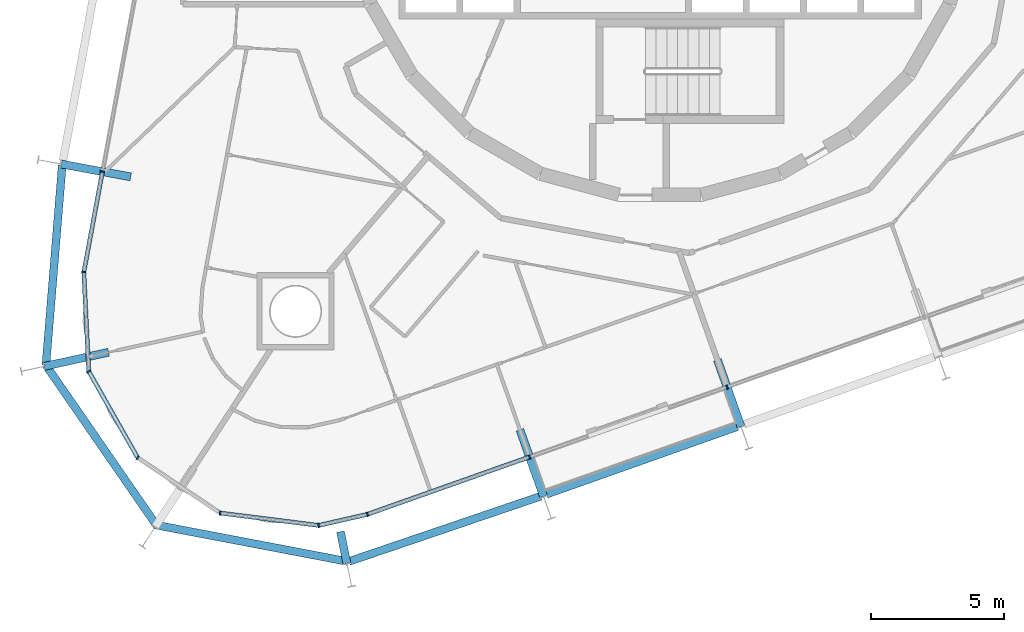
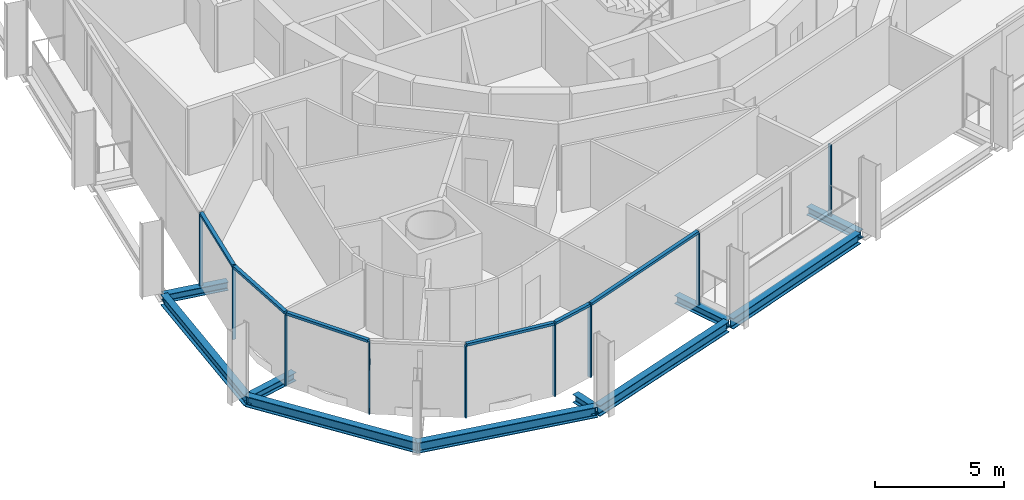
# One storey, part 2 of 17: 15 members, 10 beams, 2 elements without a shape of their own.
"""IFC4 building model written with IfcOpenShell, lengths in metres."""

from ifc_helpers import new_model, si_unit, direction, frame, origin, origin_2d, place, context, subcontext, project, spatial, rectangle, i_section, extrude, material, layer, layer_set, material_profile, profile_set, type_object, element, aggregate, save


model = new_model("IFC4")

# Units and contexts
model_context = context("Model", 3, precision=1e-05, world=origin(), true_north=direction((0.0, 1.0)))
body_context = subcontext(model_context, "Body", "Model", "MODEL_VIEW")
ifc_project = project(units=[si_unit("LENGTHUNIT", "METRE"), si_unit("AREAUNIT", "SQUARE_METRE"), si_unit("VOLUMEUNIT", "CUBIC_METRE"), si_unit("PLANEANGLEUNIT", "RADIAN"), si_unit("MASSUNIT", "GRAM", prefix="KILO")], contexts=[model_context])

# Site, building, storey
site_placement = place(None, origin())
site = spatial("IfcSite", under=ifc_project, at=site_placement, CompositionType="ELEMENT")
building_placement = place(site_placement, origin())
building = spatial("IfcBuilding", under=site, at=building_placement, Name="Spindle Arch Residences", CompositionType="ELEMENT")
storey_placement = place(building_placement, frame((0.0, 0.0, 172.699951171875)))
storey = spatial("IfcBuildingStorey", under=building, at=storey_placement, Name="L43", CompositionType="ELEMENT", Elevation=172.699951171875)

# Curtain wall, members
ifc_material_1 = material(Name="Aluminium bronze unitised frame with tinted glass", Category="aluminium")
ifc_layer_1 = layer(ifc_material_1, 0.159912109375)
ifc_layer_set_1 = layer_set([ifc_layer_1], Name="CW-D corner wall on the fillet arcs")
curtain_wall_type_1 = type_object("IfcCurtainWallType", Name="CW-D corner wall on the fillet arcs", PredefinedType="NOTDEFINED", material=ifc_layer_set_1)
curtain_wall_1_placement = place(storey_placement, origin())
curtain_wall_1 = element("IfcCurtainWall", 1, at=curtain_wall_1_placement, inside=storey, type_object=curtain_wall_type_1, Name="CW-D L43 run 5", PredefinedType="NOTDEFINED")
ifc_material_2 = material(Name="Aluminium bronze anodised mullion", Category="aluminium")
ifc_material_profile_1 = material_profile(ifc_material_2, rectangle(XDim=0.159912109375, YDim=0.06005859375, at=origin_2d()), Name="MU 60x160")
ifc_profile_set_1 = profile_set([ifc_material_profile_1], Name="Aluminium bronze anodised mullion")
member_type_1 = type_object("IfcMemberType", Name="Bronze mullion 60x160", PredefinedType="MULLION", material=ifc_profile_set_1)
member_1_placement = place(storey_placement, frame((-20.92724609375, -10.77685546875, -0.3798828125), z_axis=(0.0, 0.0, 1.0), x_axis=(0.983254907564, -0.182235525492, 0.0)))
member_1 = element("IfcMember", 2, at=member_1_placement, type_object=member_type_1, Name="CW-D mullion 00", PredefinedType="MULLION", context=body_context, shape_type="SweptSolid", body=[
    extrude(rectangle(XDim=0.159912109375, YDim=0.06005859375, at=origin_2d()), origin(), (0.0, 0.0, 1.0), 3.3798828125),
])
member_2_placement = place(storey_placement, frame((-21.6259765625, -14.546142578125, -0.3798828125), z_axis=(0.0, 0.0, 1.0), x_axis=(0.99877754864, 0.049430843939, 0.0)))
member_2 = element("IfcMember", 3, at=member_2_placement, type_object=member_type_1, Name="CW-D mullion 01", PredefinedType="MULLION", context=body_context, shape_type="SweptSolid", body=[
    extrude(rectangle(XDim=0.159912109375, YDim=0.06005859375, at=origin_2d()), origin(), (0.0, 0.0, 1.0), 3.3798828125),
])
member_3_placement = place(storey_placement, frame((-21.441650390625, -18.268310546875, -0.3798828125), z_axis=(0.0, 0.0, 1.0), x_axis=(0.870355694762, 0.492423562185, 0.0)))
member_3 = element("IfcMember", 4, at=member_3_placement, type_object=member_type_1, Name="CW-D mullion 02", PredefinedType="MULLION", context=body_context, shape_type="SweptSolid", body=[
    extrude(rectangle(XDim=0.159912109375, YDim=0.06005859375, at=origin_2d()), origin(), (0.0, 0.0, 1.0), 3.3798828125),
])
member_4_placement = place(storey_placement, frame((-19.6064453125, -21.511962890625, -0.3798828125), z_axis=(0.0, 0.0, 1.0), x_axis=(0.556778968928, 0.830660688705, 0.0)))
member_4 = element("IfcMember", 5, at=member_4_placement, type_object=member_type_1, Name="CW-D mullion 03", PredefinedType="MULLION", context=body_context, shape_type="SweptSolid", body=[
    extrude(rectangle(XDim=0.159912109375, YDim=0.06005859375, at=origin_2d()), origin(), (0.0, 0.0, 1.0), 3.3798828125),
])
member_5_placement = place(storey_placement, frame((-16.510986328125, -23.5869140625, -0.3798828125), z_axis=(0.0, 0.0, 1.0), x_axis=(0.12475602349, 0.992187449327, 0.0)))
member_5 = element("IfcMember", 6, at=member_5_placement, type_object=member_type_1, Name="CW-D mullion 04", PredefinedType="MULLION", context=body_context, shape_type="SweptSolid", body=[
    extrude(rectangle(XDim=0.159912109375, YDim=0.06005859375, at=origin_2d()), origin(), (0.0, 0.0, 1.0), 3.3798828125),
])
member_6_placement = place(storey_placement, frame((-12.813232421875, -24.0517578125, -0.3798828125), z_axis=(0.0, 0.0, 1.0), x_axis=(-0.222115779565, 0.975020297465, 0.0)))
member_6 = element("IfcMember", 7, at=member_6_placement, type_object=member_type_1, Name="CW-D mullion 05", PredefinedType="MULLION", context=body_context, shape_type="SweptSolid", body=[
    extrude(rectangle(XDim=0.159912109375, YDim=0.06005859375, at=origin_2d()), origin(), (0.0, 0.0, 1.0), 3.3798828125),
])
member_7_placement = place(storey_placement, frame((-10.984130859375, -23.63525390625, -0.3798828125), z_axis=(0.0, 0.0, 1.0), x_axis=(-0.333806859234, 0.942641491092, 0.0)))
member_7 = element("IfcMember", 8, at=member_7_placement, type_object=member_type_1, Name="CW-D mullion 06", PredefinedType="MULLION", context=body_context, shape_type="SweptSolid", body=[
    extrude(rectangle(XDim=0.159912109375, YDim=0.06005859375, at=origin_2d()), origin(), (0.0, 0.0, 1.0), 3.3798828125),
])

ifc_material_3 = material(Name="Aluminium bronze unitised frame with tinted glass", Category="aluminium")
ifc_layer_2 = layer(ifc_material_3, 0.159912109375)
ifc_layer_set_2 = layer_set([ifc_layer_2], Name="CW-C typical residential unitised wall")
curtain_wall_type_2 = type_object("IfcCurtainWallType", Name="CW-C typical residential unitised wall", PredefinedType="NOTDEFINED", material=ifc_layer_set_2)
curtain_wall_2_placement = place(storey_placement, origin())
curtain_wall_2 = element("IfcCurtainWall", 9, at=curtain_wall_2_placement, inside=storey, type_object=curtain_wall_type_2, Name="CW-C L43 run 6", PredefinedType="NOTDEFINED")
member_8_placement = place(storey_placement, frame((-4.900634765625, -21.48095703125, -0.3798828125), z_axis=(0.0, 0.0, 1.0), x_axis=(-0.333806859234, 0.942641491092, 0.0)))
member_8 = element("IfcMember", 10, at=member_8_placement, type_object=member_type_1, Name="CW-C mullion 20", PredefinedType="MULLION", context=body_context, shape_type="SweptSolid", body=[
    extrude(rectangle(XDim=0.159912109375, YDim=0.06005859375, at=origin_2d()), origin(), (0.0, 0.0, 1.0), 3.3798828125),
])
member_9_placement = place(storey_placement, frame((2.508544921875, -18.857177734375, -0.3798828125), z_axis=(0.0, 0.0, 1.0), x_axis=(-0.333806859234, 0.942641491092, 0.0)))
member_9 = element("IfcMember", 11, at=member_9_placement, type_object=member_type_1, Name="CW-C mullion 21", PredefinedType="MULLION", context=body_context, shape_type="SweptSolid", body=[
    extrude(rectangle(XDim=0.159912109375, YDim=0.06005859375, at=origin_2d()), origin(), (0.0, 0.0, 1.0), 3.3798828125),
])
aggregate(curtain_wall_2, [member_8, member_9])

# Member
ifc_material_4 = material(Name="Aluminium bronze anodised transom", Category="aluminium")
ifc_material_profile_2 = material_profile(ifc_material_4, rectangle(XDim=0.159912109375, YDim=0.1201171875, at=origin_2d()), Name="TR 120x160")
ifc_profile_set_2 = profile_set([ifc_material_profile_2], Name="Aluminium bronze anodised transom")
member_type_2 = type_object("IfcMemberType", Name="Bronze transom 120x160", PredefinedType="USERDEFINED", material=ifc_profile_set_2)
member_10_placement = place(storey_placement, frame((-20.932861328125, -10.806396484375, 3.06005859375), z_axis=(-0.182198152475, -0.983261833509, 0.0), x_axis=(0.983261833509, -0.182198152475, 0.0)))
member_10 = element("IfcMember", 12, at=member_10_placement, type_object=member_type_2, Name="CW-D transom 00", ObjectType="TRANSOM", PredefinedType="USERDEFINED", context=body_context, shape_type="SweptSolid", body=[
    extrude(rectangle(XDim=0.159912109375, YDim=0.1201171875, at=origin_2d()), origin(), (0.0, 0.0, 1.0), 3.7734375),
])

member_11_placement = place(storey_placement, frame((-21.62451171875, -14.576171875, 3.06005859375), z_axis=(0.049472678643, -0.998775477306, 0.0), x_axis=(0.998775477306, 0.049472678643, 0.0)))
member_11 = element("IfcMember", 13, at=member_11_placement, type_object=member_type_2, Name="CW-D transom 01", ObjectType="TRANSOM", PredefinedType="USERDEFINED", context=body_context, shape_type="SweptSolid", body=[
    extrude(rectangle(XDim=0.159912109375, YDim=0.1201171875, at=origin_2d()), origin(), (0.0, 0.0, 1.0), 3.66650390625),
])

member_12_placement = place(storey_placement, frame((-21.427001953125, -18.29443359375, 3.06005859375), z_axis=(0.49243456751, -0.870349468157, 0.0), x_axis=(0.870349468157, 0.49243456751, 0.0)))
member_12 = element("IfcMember", 14, at=member_12_placement, type_object=member_type_2, Name="CW-D transom 02", ObjectType="TRANSOM", PredefinedType="USERDEFINED", context=body_context, shape_type="SweptSolid", body=[
    extrude(rectangle(XDim=0.159912109375, YDim=0.1201171875, at=origin_2d()), origin(), (0.0, 0.0, 1.0), 3.666748046875),
])

member_13_placement = place(storey_placement, frame((-16.481201171875, -23.590576171875, 3.06005859375), z_axis=(0.992185413992, -0.12477220949, 0.0), x_axis=(0.12477220949, 0.992185413992, 0.0)))
member_13 = element("IfcMember", 15, at=member_13_placement, type_object=member_type_2, Name="CW-D transom 04", ObjectType="TRANSOM", PredefinedType="USERDEFINED", context=body_context, shape_type="SweptSolid", body=[
    extrude(rectangle(XDim=0.159912109375, YDim=0.1201171875, at=origin_2d()), origin(), (0.0, 0.0, 1.0), 3.666748046875),
])

member_14_placement = place(storey_placement, frame((-12.783935546875, -24.045166015625, 3.06005859375), z_axis=(0.975028425033, 0.222080099015, 0.0), x_axis=(-0.222080099015, 0.975028425033, 0.0)))
member_14 = element("IfcMember", 16, at=member_14_placement, type_object=member_type_2, Name="CW-D transom 05", ObjectType="TRANSOM", PredefinedType="USERDEFINED", context=body_context, shape_type="SweptSolid", body=[
    extrude(rectangle(XDim=0.159912109375, YDim=0.1201171875, at=origin_2d()), origin(), (0.0, 0.0, 1.0), 1.816162109375),
])

member_15_placement = place(storey_placement, frame((-10.955810546875, -23.625244140625, 3.06005859375), z_axis=(0.942638740525, 0.333814626495, 0.0), x_axis=(-0.333814626495, 0.942638740525, 0.0)))
member_15 = element("IfcMember", 17, at=member_15_placement, type_object=member_type_2, Name="CW-D transom 06", ObjectType="TRANSOM", PredefinedType="USERDEFINED", context=body_context, shape_type="SweptSolid", body=[
    extrude(rectangle(XDim=0.159912109375, YDim=0.1201171875, at=origin_2d()), origin(), (0.0, 0.0, 1.0), 6.3935546875),
])

aggregate(curtain_wall_1, [member_1, member_10, member_2, member_11, member_3, member_12, member_4, member_5, member_13, member_6, member_14, member_7, member_15])

# Beams
ifc_material_5 = material(Name="Steel S460ML, intumescent coating R 120", Category="steel")
ifc_material_profile_3 = material_profile(ifc_material_5, i_section(OverallWidth=0.300048828125, OverallDepth=0.5, WebThickness=0.014404296875, FlangeThickness=0.028076171875, FilletRadius=0.027099609375, at=origin_2d()), Name="HEB 500")
ifc_profile_set_3 = profile_set([ifc_material_profile_3], Name="Steel S460ML, intumescent coating R 120")
beam_type_1 = type_object("IfcBeamType", Name="Exoskeleton edge beam HEB 500", PredefinedType="BEAM", material=ifc_profile_set_3)
beam_1_placement = place(storey_placement, frame((-22.43408203125, -10.530517578125, -0.6298828125), z_axis=(-0.081396168561, -0.996681826735, 0.0), x_axis=(0.996681826735, -0.081396168561, 0.0)))
element("IfcBeam", 18, at=beam_1_placement, inside=storey, type_object=beam_type_1, Name="Exoskeleton edge beam 17", PredefinedType="BEAM", context=body_context, shape_type="SweptSolid", body=[
    extrude(i_section(OverallWidth=0.300048828125, OverallDepth=0.5, WebThickness=0.014404296875, FlangeThickness=0.028076171875, FilletRadius=0.027099609375, at=origin_2d()), origin(), (0.0, 0.0, 1.0), 7.534423828125),
])
for number, where, z_axis, x_axis, name in (
    (19, (-23.07080078125, -18.006103515625, -0.6298828125), (0.568398589538, -0.822753330842, 0.0), (0.822753330842, 0.568398589538, 0.0), "Exoskeleton edge beam 18"),
    (20, (-18.972900390625, -24.025390625, -0.6298828125), (0.982369437961, -0.186949959509, 0.0), (0.186949959509, 0.982369437961, 0.0), "Exoskeleton edge beam 19"),
):
    element("IfcBeam", number, at=place(storey_placement, frame(where, z_axis=z_axis, x_axis=x_axis)), inside=storey, type_object=beam_type_1, Name=name, PredefinedType="BEAM", context=body_context, shape_type="SweptSolid", body=[
        extrude(i_section(OverallWidth=0.300048828125, OverallDepth=0.5, WebThickness=0.014404296875, FlangeThickness=0.028076171875, FilletRadius=0.027099609375, at=origin_2d()), origin(), (0.0, 0.0, 1.0), 7.4033203125),
    ])
beam_2_placement = place(storey_placement, frame((-11.672119140625, -25.401123046875, -0.6298828125), z_axis=(0.94672748231, 0.322035827571, 0.0), x_axis=(-0.322035827571, 0.94672748231, 0.0)))
element("IfcBeam", 21, at=beam_2_placement, inside=storey, type_object=beam_type_1, Name="Exoskeleton edge beam 20", PredefinedType="BEAM", context=body_context, shape_type="SweptSolid", body=[
    extrude(i_section(OverallWidth=0.300048828125, OverallDepth=0.5, WebThickness=0.014404296875, FlangeThickness=0.028076171875, FilletRadius=0.027099609375, at=origin_2d()), origin(), (0.0, 0.0, 1.0), 7.596435546875),
])
beam_3_placement = place(storey_placement, frame((-4.267333984375, -22.8798828125, -0.6298828125), z_axis=(0.942633964352, 0.33382811333, 0.0), x_axis=(-0.33382811333, 0.942633964352, 0.0)))
element("IfcBeam", 22, at=beam_3_placement, inside=storey, type_object=beam_type_1, Name="Exoskeleton edge beam 21", PredefinedType="BEAM", context=body_context, shape_type="SweptSolid", body=[
    extrude(i_section(OverallWidth=0.300048828125, OverallDepth=0.5, WebThickness=0.014404296875, FlangeThickness=0.028076171875, FilletRadius=0.027099609375, at=origin_2d()), origin(), (0.0, 0.0, 1.0), 7.60009765625),
])
ifc_material_6 = material(Name="Steel S460ML, intumescent coating R 120", Category="steel")
ifc_material_profile_4 = material_profile(ifc_material_6, i_section(OverallWidth=0.300048828125, OverallDepth=0.389892578125, WebThickness=0.010986328125, FlangeThickness=0.01904296875, FilletRadius=0.027099609375, at=origin_2d()), Name="HEA 400")
ifc_profile_set_4 = profile_set([ifc_material_profile_4], Name="Steel S460ML, intumescent coating R 120")
beam_type_2 = type_object("IfcBeamType", Name="Floor outrigger HEA 400", PredefinedType="BEAM", material=ifc_profile_set_4)
beam_4_placement = place(storey_placement, frame((-22.470947265625, -10.49072265625, -0.574951171875), z_axis=(0.983253888741, -0.182241022482, 0.0), x_axis=(0.182241022482, 0.983253888741, 0.0)))
element("IfcBeam", 23, at=beam_4_placement, inside=storey, type_object=beam_type_2, Name="Floor outrigger 17", PredefinedType="BEAM", context=body_context, shape_type="SweptSolid", body=[
    extrude(i_section(OverallWidth=0.300048828125, OverallDepth=0.389892578125, WebThickness=0.010986328125, FlangeThickness=0.01904296875, FilletRadius=0.027099609375, at=origin_2d()), origin(), (0.0, 0.0, 1.0), 2.64990234375),
])
beam_5_placement = place(storey_placement, frame((-23.108154296875, -18.081298828125, -0.574951171875), z_axis=(0.976889051541, 0.21374700227, 0.0), x_axis=(-0.21374700227, 0.976889051541, 0.0)))
element("IfcBeam", 24, at=beam_5_placement, inside=storey, type_object=beam_type_2, Name="Floor outrigger 18", PredefinedType="BEAM", context=body_context, shape_type="SweptSolid", body=[
    extrude(i_section(OverallWidth=0.300048828125, OverallDepth=0.389892578125, WebThickness=0.010986328125, FlangeThickness=0.01904296875, FilletRadius=0.027099609375, at=origin_2d()), origin(), (0.0, 0.0, 1.0), 2.469482421875),
])
beam_6_placement = place(storey_placement, frame((-11.75390625, -25.47412109375, -0.574951171875), z_axis=(-0.199668771983, 0.979863450433, 0.0), x_axis=(-0.979863450433, -0.199668771983, 0.0)))
element("IfcBeam", 25, at=beam_6_placement, inside=storey, type_object=beam_type_2, Name="Floor outrigger 20", PredefinedType="BEAM", context=body_context, shape_type="SweptSolid", body=[
    extrude(i_section(OverallWidth=0.300048828125, OverallDepth=0.389892578125, WebThickness=0.010986328125, FlangeThickness=0.01904296875, FilletRadius=0.027099609375, at=origin_2d()), origin(), (0.0, 0.0, 1.0), 1.21533203125),
])
beam_7_placement = place(storey_placement, frame((-4.376708984375, -22.9609375, -0.574951171875), z_axis=(-0.333778924893, 0.942651382695, 0.0), x_axis=(-0.942651382695, -0.333778924893, 0.0)))
element("IfcBeam", 26, at=beam_7_placement, inside=storey, type_object=beam_type_2, Name="Floor outrigger 21", PredefinedType="BEAM", context=body_context, shape_type="SweptSolid", body=[
    extrude(i_section(OverallWidth=0.300048828125, OverallDepth=0.389892578125, WebThickness=0.010986328125, FlangeThickness=0.01904296875, FilletRadius=0.027099609375, at=origin_2d()), origin(), (0.0, 0.0, 1.0), 2.64990234375),
])
beam_8_placement = place(storey_placement, frame((3.03271484375, -20.337158203125, -0.574951171875), z_axis=(-0.333860785086, 0.942622393211, 0.0), x_axis=(-0.942622393211, -0.333860785086, 0.0)))
element("IfcBeam", 27, at=beam_8_placement, inside=storey, type_object=beam_type_2, Name="Floor outrigger 22", PredefinedType="BEAM", context=body_context, shape_type="SweptSolid", body=[
    extrude(i_section(OverallWidth=0.300048828125, OverallDepth=0.389892578125, WebThickness=0.010986328125, FlangeThickness=0.01904296875, FilletRadius=0.027099609375, at=origin_2d()), origin(), (0.0, 0.0, 1.0), 2.650146484375),
])

save(model, "model.ifc")
